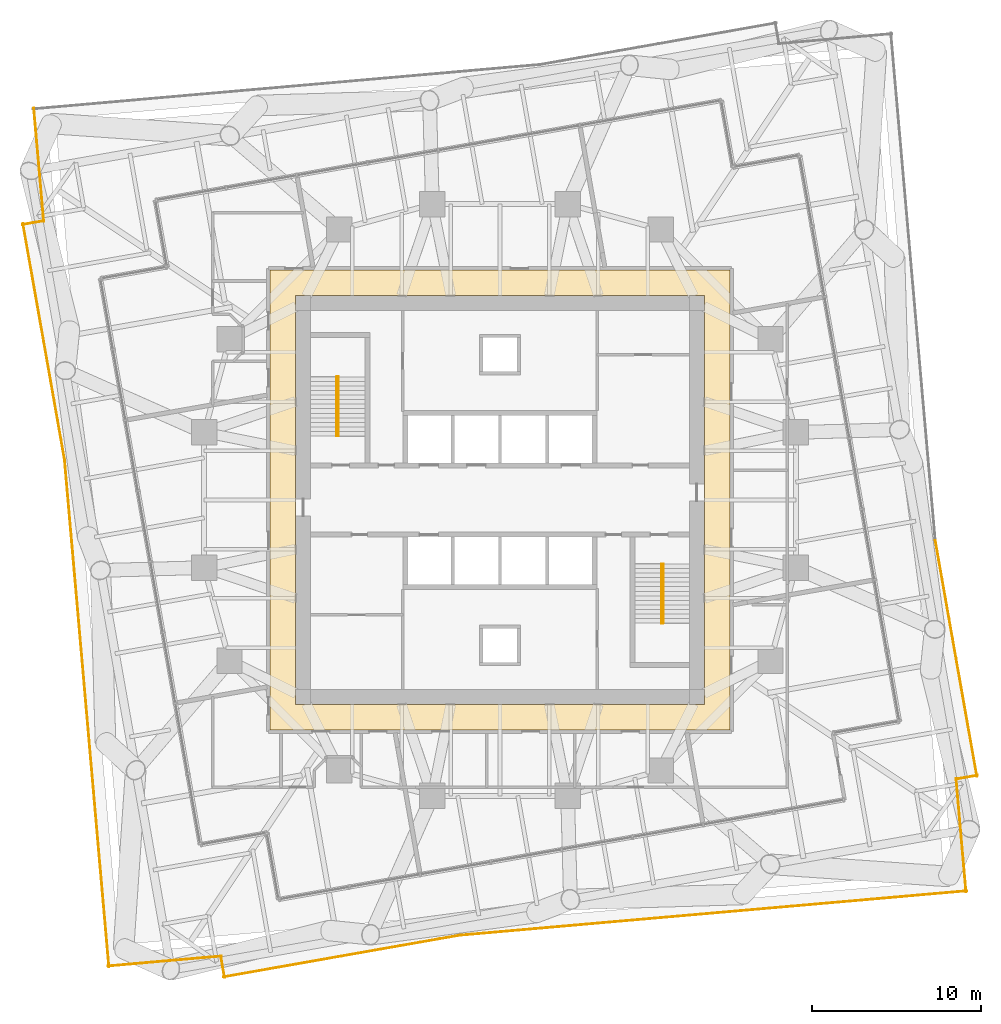
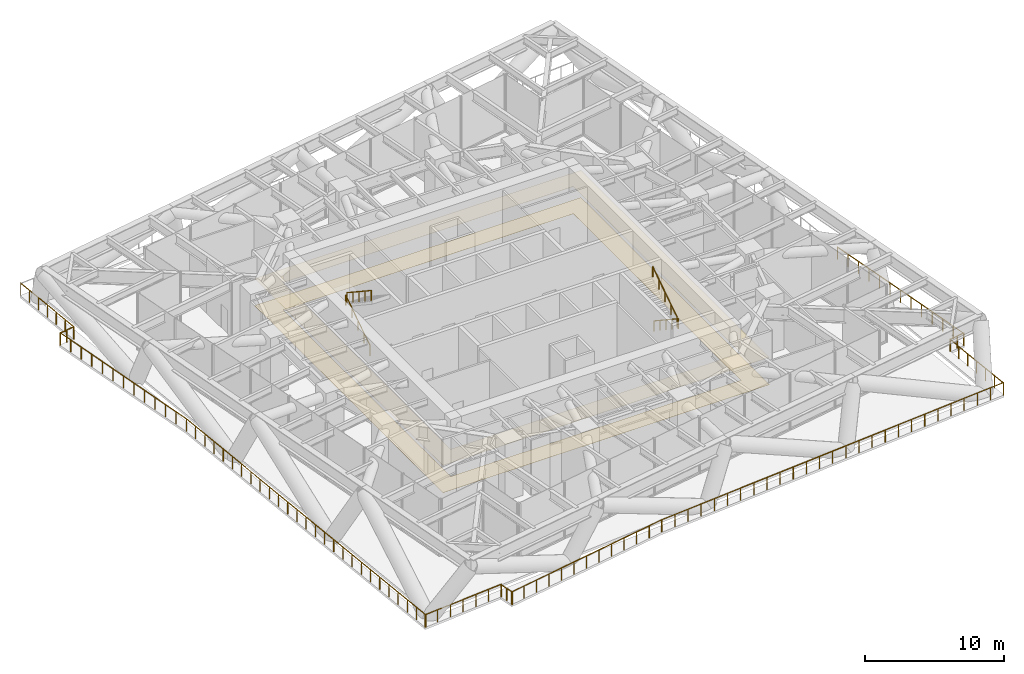
# One storey, part 14 of 15: 15 railings, 2 coverings, 2 elements without a shape of their own.
"""IFC4 building model written with IfcOpenShell, lengths in metres."""

from ifc_helpers import new_model, si_unit, direction, frame, origin, origin_2d, place, context, subcontext, project, spatial, polyline, circle, outline, extrude, material, layer, layer_set, type_object, element, aggregate, save


model = new_model("IFC4")

# Units and contexts
model_context = context("Model", 3, precision=1e-05, world=origin(), true_north=direction((0.0, 1.0)))
body_context = subcontext(model_context, "Body", "Model", "MODEL_VIEW")
ifc_project = project(units=[si_unit("LENGTHUNIT", "METRE"), si_unit("AREAUNIT", "SQUARE_METRE"), si_unit("VOLUMEUNIT", "CUBIC_METRE"), si_unit("PLANEANGLEUNIT", "RADIAN"), si_unit("MASSUNIT", "GRAM", prefix="KILO")], contexts=[model_context])

# Site, building, storey
site_placement = place(None, origin())
site = spatial("IfcSite", under=ifc_project, at=site_placement, CompositionType="ELEMENT")
building_placement = place(site_placement, origin())
building = spatial("IfcBuilding", under=site, at=building_placement, Name="Torsade Residences", CompositionType="ELEMENT")
storey_placement = place(building_placement, frame((0.0, 0.0, 74.39990234375)))
storey = spatial("IfcBuildingStorey", under=building, at=storey_placement, Name="L20", CompositionType="ELEMENT", Elevation=74.39990234375)

# Coverings
ifc_material_1 = material(Name="Nylon carpet tile on underlay", Category="textile")
ifc_layer_1 = layer(ifc_material_1, 0.010009765625)
ifc_layer_set_1 = layer_set([ifc_layer_1], Name="Nylon carpet tile on underlay")
covering_type_1 = type_object("IfcCoveringType", Name="CORRIDOR CARPET TILE 10", PredefinedType="FLOORING", material=ifc_layer_set_1)
covering_1_placement = place(storey_placement, origin())
element("IfcCovering", 1, at=covering_1_placement, inside=storey, type_object=covering_type_1, Name="Corridor carpet L20", PredefinedType="FLOORING", context=body_context, shape_type="SweptSolid", body=[
    extrude(outline(polyline([(26.39990234375, 16.39990234375), (53.60009765625, 16.39990234375), (53.60009765625, 43.60009765625), (26.39990234375, 43.60009765625), (26.39990234375, 16.39990234375)]), holes=[polyline([(27.89990234375, 42.10009765625), (27.89990234375, 17.89990234375), (52.10009765625, 17.89990234375), (52.10009765625, 42.10009765625), (27.89990234375, 42.10009765625)])]), origin(), (0.0, 0.0, 1.0), 0.010009765625),
])
ifc_material_2 = material(Name="Plasterboard on suspended steel grid", Category="steel")
ifc_layer_2 = layer(ifc_material_2, 0.012939453125)
ifc_layer_set_2 = layer_set([ifc_layer_2], Name="Plasterboard on suspended steel grid")
covering_type_2 = type_object("IfcCoveringType", Name="CORRIDOR SUSPENDED CEILING 13", PredefinedType="CEILING", material=ifc_layer_set_2)
covering_2_placement = place(storey_placement, frame((0.0, 0.0, 2.400146484375)))
element("IfcCovering", 2, at=covering_2_placement, inside=storey, type_object=covering_type_2, Name="Corridor ceiling L20", PredefinedType="CEILING", context=body_context, shape_type="SweptSolid", body=[
    extrude(outline(polyline([(26.39990234375, 16.39990234375), (53.60009765625, 16.39990234375), (53.60009765625, 43.60009765625), (26.39990234375, 43.60009765625), (26.39990234375, 16.39990234375)]), holes=[polyline([(27.89990234375, 42.10009765625), (27.89990234375, 17.89990234375), (52.10009765625, 17.89990234375), (52.10009765625, 42.10009765625), (27.89990234375, 42.10009765625)])]), origin(), (0.0, 0.0, 1.0), 0.012939453125),
])

# Railings
ifc_material_3 = material(Name="Galvanised steel guard rail", Category="steel")
railing_type_1 = type_object("IfcRailingType", Name="ROOF EDGE GUARD 1100", PredefinedType="GUARDRAIL", material=ifc_material_3)
railing_1_placement = place(storey_placement, frame((23.494140625, 2.962890625, 0.0)))
element("IfcRailing", 3, at=railing_1_placement, inside=storey, type_object=railing_type_1, Name="Roof edge guard L20 1", PredefinedType="GUARDRAIL", context=body_context, shape_type="SweptSolid", body=[
    extrude(circle(Radius=0.02392578125, at=origin_2d()), frame((0.0, 0.0, 1.076171875), z_axis=(0.173684229312, -0.984801395454, 0.0), x_axis=(0.984801395454, 0.173684229312, 0.0)), (0.0, 0.0, 1.0), 1.23974609375),
    extrude(circle(Radius=0.02099609375, at=origin_2d()), origin(), (0.0, 0.0, 1.0), 1.052001953125),
    extrude(circle(Radius=0.02099609375, at=origin_2d()), frame((0.107666015625, -0.6103515625, 0.0)), (0.0, 0.0, 1.0), 1.052001953125),
    extrude(circle(Radius=0.02099609375, at=origin_2d()), frame((0.21533203125, -1.220947265625, 0.0)), (0.0, 0.0, 1.0), 1.052001953125),
])
railing_2_placement = place(storey_placement, frame((23.651611328125, 1.782470703125, 0.0)))
element("IfcRailing", 4, at=railing_2_placement, inside=storey, type_object=railing_type_1, Name="Roof edge guard L20 2", PredefinedType="GUARDRAIL", context=body_context, shape_type="SweptSolid", body=[
    extrude(circle(Radius=0.02392578125, at=origin_2d()), frame((0.0, 0.0, 1.076171875), z_axis=(0.984807475396, 0.173649752101, 0.0), x_axis=(-0.173649752101, 0.984807475396, 0.0)), (0.0, 0.0, 1.0), 14.176025390625),
    extrude(circle(Radius=0.02099609375, at=origin_2d()), origin(), (0.0, 0.0, 1.0), 1.052001953125),
    extrude(circle(Radius=0.02099609375, at=origin_2d()), frame((1.163330078125, 0.205078125, 0.0)), (0.0, 0.0, 1.0), 1.052001953125),
    extrude(circle(Radius=0.02099609375, at=origin_2d()), frame((2.32666015625, 0.41015625, 0.0)), (0.0, 0.0, 1.0), 1.052001953125),
    extrude(circle(Radius=0.02099609375, at=origin_2d()), frame((3.490234375, 0.615478515625, 0.0)), (0.0, 0.0, 1.0), 1.052001953125),
    extrude(circle(Radius=0.02099609375, at=origin_2d()), frame((4.653564453125, 0.820556640625, 0.0)), (0.0, 0.0, 1.0), 1.052001953125),
    extrude(circle(Radius=0.02099609375, at=origin_2d()), frame((5.81689453125, 1.025634765625, 0.0)), (0.0, 0.0, 1.0), 1.052001953125),
    extrude(circle(Radius=0.02099609375, at=origin_2d()), frame((6.98046875, 1.23095703125, 0.0)), (0.0, 0.0, 1.0), 1.052001953125),
    extrude(circle(Radius=0.02099609375, at=origin_2d()), frame((8.143798828125, 1.43603515625, 0.0)), (0.0, 0.0, 1.0), 1.052001953125),
    extrude(circle(Radius=0.02099609375, at=origin_2d()), frame((9.30712890625, 1.64111328125, 0.0)), (0.0, 0.0, 1.0), 1.052001953125),
    extrude(circle(Radius=0.02099609375, at=origin_2d()), frame((10.470458984375, 1.84619140625, 0.0)), (0.0, 0.0, 1.0), 1.052001953125),
    extrude(circle(Radius=0.02099609375, at=origin_2d()), frame((11.6337890625, 2.05126953125, 0.0)), (0.0, 0.0, 1.0), 1.052001953125),
    extrude(circle(Radius=0.02099609375, at=origin_2d()), frame((12.79736328125, 2.256591796875, 0.0)), (0.0, 0.0, 1.0), 1.052001953125),
    extrude(circle(Radius=0.02099609375, at=origin_2d()), frame((13.960693359375, 2.461669921875, 0.0)), (0.0, 0.0, 1.0), 1.052001953125),
])
railing_3_placement = place(storey_placement, frame((37.6123046875, 4.243896484375, 0.0)))
element("IfcRailing", 5, at=railing_3_placement, inside=storey, type_object=railing_type_1, Name="Roof edge guard L20 3", PredefinedType="GUARDRAIL", context=body_context, shape_type="SweptSolid", body=[
    extrude(circle(Radius=0.02392578125, at=origin_2d()), frame((0.0, 0.0, 1.076171875), z_axis=(0.99619452679, 0.087157700715, 0.0), x_axis=(-0.087157700715, 0.99619452679, 0.0)), (0.0, 0.0, 1.0), 30.12353515625),
    extrude(circle(Radius=0.02099609375, at=origin_2d()), origin(), (0.0, 0.0, 1.0), 1.052001953125),
    extrude(circle(Radius=0.02099609375, at=origin_2d()), frame((1.154296875, 0.10107421875, 0.0)), (0.0, 0.0, 1.0), 1.052001953125),
    extrude(circle(Radius=0.02099609375, at=origin_2d()), frame((2.308349609375, 0.201904296875, 0.0)), (0.0, 0.0, 1.0), 1.052001953125),
    extrude(circle(Radius=0.02099609375, at=origin_2d()), frame((3.462646484375, 0.302978515625, 0.0)), (0.0, 0.0, 1.0), 1.052001953125),
    extrude(circle(Radius=0.02099609375, at=origin_2d()), frame((4.61669921875, 0.40380859375, 0.0)), (0.0, 0.0, 1.0), 1.052001953125),
    extrude(circle(Radius=0.02099609375, at=origin_2d()), frame((5.77099609375, 0.5048828125, 0.0)), (0.0, 0.0, 1.0), 1.052001953125),
    extrude(circle(Radius=0.02099609375, at=origin_2d()), frame((6.925048828125, 0.60595703125, 0.0)), (0.0, 0.0, 1.0), 1.052001953125),
    extrude(circle(Radius=0.02099609375, at=origin_2d()), frame((8.079345703125, 0.706787109375, 0.0)), (0.0, 0.0, 1.0), 1.052001953125),
    extrude(circle(Radius=0.02099609375, at=origin_2d()), frame((9.2333984375, 0.807861328125, 0.0)), (0.0, 0.0, 1.0), 1.052001953125),
    extrude(circle(Radius=0.02099609375, at=origin_2d()), frame((10.3876953125, 0.908935546875, 0.0)), (0.0, 0.0, 1.0), 1.052001953125),
    extrude(circle(Radius=0.02099609375, at=origin_2d()), frame((11.541748046875, 1.009765625, 0.0)), (0.0, 0.0, 1.0), 1.052001953125),
    extrude(circle(Radius=0.02099609375, at=origin_2d()), frame((12.696044921875, 1.11083984375, 0.0)), (0.0, 0.0, 1.0), 1.052001953125),
    extrude(circle(Radius=0.02099609375, at=origin_2d()), frame((13.85009765625, 1.211669921875, 0.0)), (0.0, 0.0, 1.0), 1.052001953125),
    extrude(circle(Radius=0.02099609375, at=origin_2d()), frame((15.00439453125, 1.312744140625, 0.0)), (0.0, 0.0, 1.0), 1.052001953125),
    extrude(circle(Radius=0.02099609375, at=origin_2d()), frame((16.15869140625, 1.413818359375, 0.0)), (0.0, 0.0, 1.0), 1.052001953125),
    extrude(circle(Radius=0.02099609375, at=origin_2d()), frame((17.312744140625, 1.5146484375, 0.0)), (0.0, 0.0, 1.0), 1.052001953125),
    extrude(circle(Radius=0.02099609375, at=origin_2d()), frame((18.467041015625, 1.61572265625, 0.0)), (0.0, 0.0, 1.0), 1.052001953125),
    extrude(circle(Radius=0.02099609375, at=origin_2d()), frame((19.62109375, 1.716552734375, 0.0)), (0.0, 0.0, 1.0), 1.052001953125),
    extrude(circle(Radius=0.02099609375, at=origin_2d()), frame((20.775390625, 1.817626953125, 0.0)), (0.0, 0.0, 1.0), 1.052001953125),
    extrude(circle(Radius=0.02099609375, at=origin_2d()), frame((21.929443359375, 1.918701171875, 0.0)), (0.0, 0.0, 1.0), 1.052001953125),
    extrude(circle(Radius=0.02099609375, at=origin_2d()), frame((23.083740234375, 2.01953125, 0.0)), (0.0, 0.0, 1.0), 1.052001953125),
    extrude(circle(Radius=0.02099609375, at=origin_2d()), frame((24.23779296875, 2.12060546875, 0.0)), (0.0, 0.0, 1.0), 1.052001953125),
    extrude(circle(Radius=0.02099609375, at=origin_2d()), frame((25.39208984375, 2.2216796875, 0.0)), (0.0, 0.0, 1.0), 1.052001953125),
    extrude(circle(Radius=0.02099609375, at=origin_2d()), frame((26.546142578125, 2.322509765625, 0.0)), (0.0, 0.0, 1.0), 1.052001953125),
    extrude(circle(Radius=0.02099609375, at=origin_2d()), frame((27.700439453125, 2.423583984375, 0.0)), (0.0, 0.0, 1.0), 1.052001953125),
    extrude(circle(Radius=0.02099609375, at=origin_2d()), frame((28.8544921875, 2.5244140625, 0.0)), (0.0, 0.0, 1.0), 1.052001953125),
    extrude(circle(Radius=0.02099609375, at=origin_2d()), frame((30.0087890625, 2.62548828125, 0.0)), (0.0, 0.0, 1.0), 1.052001953125),
])
railing_4_placement = place(storey_placement, frame((67.57568359375, 6.815185546875, 0.0)))
element("IfcRailing", 6, at=railing_4_placement, inside=storey, type_object=railing_type_1, Name="Roof edge guard L20 4", PredefinedType="GUARDRAIL", context=body_context, shape_type="SweptSolid", body=[
    extrude(circle(Radius=0.02392578125, at=origin_2d()), frame((0.0, 0.0, 1.076171875), z_axis=(-0.087156169975, 0.996194660714, 0.0), x_axis=(-0.996194660714, -0.087156169975, 0.0)), (0.0, 0.0, 1.0), 6.742431640625),
    extrude(circle(Radius=0.02099609375, at=origin_2d()), origin(), (0.0, 0.0, 1.0), 1.052001953125),
    extrude(circle(Radius=0.02099609375, at=origin_2d()), frame((-0.097900390625, 1.119384765625, 0.0)), (0.0, 0.0, 1.0), 1.052001953125),
    extrude(circle(Radius=0.02099609375, at=origin_2d()), frame((-0.19580078125, 2.239013671875, 0.0)), (0.0, 0.0, 1.0), 1.052001953125),
    extrude(circle(Radius=0.02099609375, at=origin_2d()), frame((-0.2939453125, 3.3583984375, 0.0)), (0.0, 0.0, 1.0), 1.052001953125),
    extrude(circle(Radius=0.02099609375, at=origin_2d()), frame((-0.391845703125, 4.477783203125, 0.0)), (0.0, 0.0, 1.0), 1.052001953125),
    extrude(circle(Radius=0.02099609375, at=origin_2d()), frame((-0.48974609375, 5.597412109375, 0.0)), (0.0, 0.0, 1.0), 1.052001953125),
    extrude(circle(Radius=0.02099609375, at=origin_2d()), frame((-0.587646484375, 6.716796875, 0.0)), (0.0, 0.0, 1.0), 1.052001953125),
])
railing_5_placement = place(storey_placement, frame((67.037109375, 13.494140625, 0.0)))
element("IfcRailing", 7, at=railing_5_placement, inside=storey, type_object=railing_type_1, Name="Roof edge guard L20 5", PredefinedType="GUARDRAIL", context=body_context, shape_type="SweptSolid", body=[
    extrude(circle(Radius=0.02392578125, at=origin_2d()), frame((0.0, 0.0, 1.076171875), z_axis=(0.984801395454, 0.173684229312, 0.0), x_axis=(-0.173684229312, 0.984801395454, 0.0)), (0.0, 0.0, 1.0), 1.23974609375),
    extrude(circle(Radius=0.02099609375, at=origin_2d()), origin(), (0.0, 0.0, 1.0), 1.052001953125),
    extrude(circle(Radius=0.02099609375, at=origin_2d()), frame((0.6103515625, 0.107666015625, 0.0)), (0.0, 0.0, 1.0), 1.052001953125),
    extrude(circle(Radius=0.02099609375, at=origin_2d()), frame((1.220947265625, 0.21533203125, 0.0)), (0.0, 0.0, 1.0), 1.052001953125),
])
railing_6_placement = place(storey_placement, frame((68.217529296875, 13.651611328125, 0.0)))
element("IfcRailing", 8, at=railing_6_placement, inside=storey, type_object=railing_type_1, Name="Roof edge guard L20 6", PredefinedType="GUARDRAIL", context=body_context, shape_type="SweptSolid", body=[
    extrude(circle(Radius=0.02392578125, at=origin_2d()), frame((0.0, 0.0, 1.076171875), z_axis=(-0.173649752101, 0.984807475396, 0.0), x_axis=(-0.984807475396, -0.173649752101, 0.0)), (0.0, 0.0, 1.0), 14.176025390625),
    extrude(circle(Radius=0.02099609375, at=origin_2d()), origin(), (0.0, 0.0, 1.0), 1.052001953125),
    extrude(circle(Radius=0.02099609375, at=origin_2d()), frame((-0.205078125, 1.163330078125, 0.0)), (0.0, 0.0, 1.0), 1.052001953125),
    extrude(circle(Radius=0.02099609375, at=origin_2d()), frame((-0.41015625, 2.32666015625, 0.0)), (0.0, 0.0, 1.0), 1.052001953125),
    extrude(circle(Radius=0.02099609375, at=origin_2d()), frame((-0.615478515625, 3.490234375, 0.0)), (0.0, 0.0, 1.0), 1.052001953125),
    extrude(circle(Radius=0.02099609375, at=origin_2d()), frame((-0.820556640625, 4.653564453125, 0.0)), (0.0, 0.0, 1.0), 1.052001953125),
    extrude(circle(Radius=0.02099609375, at=origin_2d()), frame((-1.025634765625, 5.81689453125, 0.0)), (0.0, 0.0, 1.0), 1.052001953125),
    extrude(circle(Radius=0.02099609375, at=origin_2d()), frame((-1.23095703125, 6.98046875, 0.0)), (0.0, 0.0, 1.0), 1.052001953125),
    extrude(circle(Radius=0.02099609375, at=origin_2d()), frame((-1.43603515625, 8.143798828125, 0.0)), (0.0, 0.0, 1.0), 1.052001953125),
    extrude(circle(Radius=0.02099609375, at=origin_2d()), frame((-1.64111328125, 9.30712890625, 0.0)), (0.0, 0.0, 1.0), 1.052001953125),
    extrude(circle(Radius=0.02099609375, at=origin_2d()), frame((-1.84619140625, 10.470458984375, 0.0)), (0.0, 0.0, 1.0), 1.052001953125),
    extrude(circle(Radius=0.02099609375, at=origin_2d()), frame((-2.05126953125, 11.6337890625, 0.0)), (0.0, 0.0, 1.0), 1.052001953125),
    extrude(circle(Radius=0.02099609375, at=origin_2d()), frame((-2.256591796875, 12.79736328125, 0.0)), (0.0, 0.0, 1.0), 1.052001953125),
    extrude(circle(Radius=0.02099609375, at=origin_2d()), frame((-2.461669921875, 13.960693359375, 0.0)), (0.0, 0.0, 1.0), 1.052001953125),
])
railing_7_placement = place(storey_placement, frame((12.42431640625, 53.184814453125, 0.0)))
element("IfcRailing", 9, at=railing_7_placement, inside=storey, type_object=railing_type_1, Name="Roof edge guard L20 12", PredefinedType="GUARDRAIL", context=body_context, shape_type="SweptSolid", body=[
    extrude(circle(Radius=0.02392578125, at=origin_2d()), frame((0.0, 0.0, 1.076171875), z_axis=(0.087156169975, -0.996194660714, 0.0), x_axis=(0.996194660714, 0.087156169975, 0.0)), (0.0, 0.0, 1.0), 6.742431640625),
    extrude(circle(Radius=0.02099609375, at=origin_2d()), origin(), (0.0, 0.0, 1.0), 1.052001953125),
    extrude(circle(Radius=0.02099609375, at=origin_2d()), frame((0.097900390625, -1.119384765625, 0.0)), (0.0, 0.0, 1.0), 1.052001953125),
    extrude(circle(Radius=0.02099609375, at=origin_2d()), frame((0.19580078125, -2.239013671875, 0.0)), (0.0, 0.0, 1.0), 1.052001953125),
    extrude(circle(Radius=0.02099609375, at=origin_2d()), frame((0.2939453125, -3.3583984375, 0.0)), (0.0, 0.0, 1.0), 1.052001953125),
    extrude(circle(Radius=0.02099609375, at=origin_2d()), frame((0.391845703125, -4.477783203125, 0.0)), (0.0, 0.0, 1.0), 1.052001953125),
    extrude(circle(Radius=0.02099609375, at=origin_2d()), frame((0.48974609375, -5.597412109375, 0.0)), (0.0, 0.0, 1.0), 1.052001953125),
    extrude(circle(Radius=0.02099609375, at=origin_2d()), frame((0.587646484375, -6.716796875, 0.0)), (0.0, 0.0, 1.0), 1.052001953125),
])
railing_8_placement = place(storey_placement, frame((12.962890625, 46.505859375, 0.0)))
element("IfcRailing", 10, at=railing_8_placement, inside=storey, type_object=railing_type_1, Name="Roof edge guard L20 13", PredefinedType="GUARDRAIL", context=body_context, shape_type="SweptSolid", body=[
    extrude(circle(Radius=0.02392578125, at=origin_2d()), frame((0.0, 0.0, 1.076171875), z_axis=(-0.984801395454, -0.173684229312, 0.0), x_axis=(0.173684229312, -0.984801395454, 0.0)), (0.0, 0.0, 1.0), 1.23974609375),
    extrude(circle(Radius=0.02099609375, at=origin_2d()), origin(), (0.0, 0.0, 1.0), 1.052001953125),
    extrude(circle(Radius=0.02099609375, at=origin_2d()), frame((-0.6103515625, -0.107666015625, 0.0)), (0.0, 0.0, 1.0), 1.052001953125),
    extrude(circle(Radius=0.02099609375, at=origin_2d()), frame((-1.220947265625, -0.21533203125, 0.0)), (0.0, 0.0, 1.0), 1.052001953125),
])
railing_9_placement = place(storey_placement, frame((11.782470703125, 46.348388671875, 0.0)))
element("IfcRailing", 11, at=railing_9_placement, inside=storey, type_object=railing_type_1, Name="Roof edge guard L20 14", PredefinedType="GUARDRAIL", context=body_context, shape_type="SweptSolid", body=[
    extrude(circle(Radius=0.02392578125, at=origin_2d()), frame((0.0, 0.0, 1.076171875), z_axis=(0.173649752101, -0.984807475396, 0.0), x_axis=(0.984807475396, 0.173649752101, 0.0)), (0.0, 0.0, 1.0), 14.176025390625),
    extrude(circle(Radius=0.02099609375, at=origin_2d()), origin(), (0.0, 0.0, 1.0), 1.052001953125),
    extrude(circle(Radius=0.02099609375, at=origin_2d()), frame((0.205078125, -1.163330078125, 0.0)), (0.0, 0.0, 1.0), 1.052001953125),
    extrude(circle(Radius=0.02099609375, at=origin_2d()), frame((0.41015625, -2.32666015625, 0.0)), (0.0, 0.0, 1.0), 1.052001953125),
    extrude(circle(Radius=0.02099609375, at=origin_2d()), frame((0.615478515625, -3.490234375, 0.0)), (0.0, 0.0, 1.0), 1.052001953125),
    extrude(circle(Radius=0.02099609375, at=origin_2d()), frame((0.820556640625, -4.653564453125, 0.0)), (0.0, 0.0, 1.0), 1.052001953125),
    extrude(circle(Radius=0.02099609375, at=origin_2d()), frame((1.025634765625, -5.81689453125, 0.0)), (0.0, 0.0, 1.0), 1.052001953125),
    extrude(circle(Radius=0.02099609375, at=origin_2d()), frame((1.23095703125, -6.98046875, 0.0)), (0.0, 0.0, 1.0), 1.052001953125),
    extrude(circle(Radius=0.02099609375, at=origin_2d()), frame((1.43603515625, -8.143798828125, 0.0)), (0.0, 0.0, 1.0), 1.052001953125),
    extrude(circle(Radius=0.02099609375, at=origin_2d()), frame((1.64111328125, -9.30712890625, 0.0)), (0.0, 0.0, 1.0), 1.052001953125),
    extrude(circle(Radius=0.02099609375, at=origin_2d()), frame((1.84619140625, -10.470458984375, 0.0)), (0.0, 0.0, 1.0), 1.052001953125),
    extrude(circle(Radius=0.02099609375, at=origin_2d()), frame((2.05126953125, -11.6337890625, 0.0)), (0.0, 0.0, 1.0), 1.052001953125),
    extrude(circle(Radius=0.02099609375, at=origin_2d()), frame((2.256591796875, -12.79736328125, 0.0)), (0.0, 0.0, 1.0), 1.052001953125),
    extrude(circle(Radius=0.02099609375, at=origin_2d()), frame((2.461669921875, -13.960693359375, 0.0)), (0.0, 0.0, 1.0), 1.052001953125),
])
railing_10_placement = place(storey_placement, frame((14.243896484375, 32.3876953125, 0.0)))
element("IfcRailing", 12, at=railing_10_placement, inside=storey, type_object=railing_type_1, Name="Roof edge guard L20 15", PredefinedType="GUARDRAIL", context=body_context, shape_type="SweptSolid", body=[
    extrude(circle(Radius=0.02392578125, at=origin_2d()), frame((0.0, 0.0, 1.076171875), z_axis=(0.087157700715, -0.99619452679, 0.0), x_axis=(0.99619452679, 0.087157700715, 0.0)), (0.0, 0.0, 1.0), 30.12353515625),
    extrude(circle(Radius=0.02099609375, at=origin_2d()), origin(), (0.0, 0.0, 1.0), 1.052001953125),
    extrude(circle(Radius=0.02099609375, at=origin_2d()), frame((0.10107421875, -1.154296875, 0.0)), (0.0, 0.0, 1.0), 1.052001953125),
    extrude(circle(Radius=0.02099609375, at=origin_2d()), frame((0.201904296875, -2.308349609375, 0.0)), (0.0, 0.0, 1.0), 1.052001953125),
    extrude(circle(Radius=0.02099609375, at=origin_2d()), frame((0.302978515625, -3.462646484375, 0.0)), (0.0, 0.0, 1.0), 1.052001953125),
    extrude(circle(Radius=0.02099609375, at=origin_2d()), frame((0.40380859375, -4.61669921875, 0.0)), (0.0, 0.0, 1.0), 1.052001953125),
    extrude(circle(Radius=0.02099609375, at=origin_2d()), frame((0.5048828125, -5.77099609375, 0.0)), (0.0, 0.0, 1.0), 1.052001953125),
    extrude(circle(Radius=0.02099609375, at=origin_2d()), frame((0.60595703125, -6.925048828125, 0.0)), (0.0, 0.0, 1.0), 1.052001953125),
    extrude(circle(Radius=0.02099609375, at=origin_2d()), frame((0.706787109375, -8.079345703125, 0.0)), (0.0, 0.0, 1.0), 1.052001953125),
    extrude(circle(Radius=0.02099609375, at=origin_2d()), frame((0.807861328125, -9.2333984375, 0.0)), (0.0, 0.0, 1.0), 1.052001953125),
    extrude(circle(Radius=0.02099609375, at=origin_2d()), frame((0.908935546875, -10.3876953125, 0.0)), (0.0, 0.0, 1.0), 1.052001953125),
    extrude(circle(Radius=0.02099609375, at=origin_2d()), frame((1.009765625, -11.541748046875, 0.0)), (0.0, 0.0, 1.0), 1.052001953125),
    extrude(circle(Radius=0.02099609375, at=origin_2d()), frame((1.11083984375, -12.696044921875, 0.0)), (0.0, 0.0, 1.0), 1.052001953125),
    extrude(circle(Radius=0.02099609375, at=origin_2d()), frame((1.211669921875, -13.85009765625, 0.0)), (0.0, 0.0, 1.0), 1.052001953125),
    extrude(circle(Radius=0.02099609375, at=origin_2d()), frame((1.312744140625, -15.00439453125, 0.0)), (0.0, 0.0, 1.0), 1.052001953125),
    extrude(circle(Radius=0.02099609375, at=origin_2d()), frame((1.413818359375, -16.15869140625, 0.0)), (0.0, 0.0, 1.0), 1.052001953125),
    extrude(circle(Radius=0.02099609375, at=origin_2d()), frame((1.5146484375, -17.312744140625, 0.0)), (0.0, 0.0, 1.0), 1.052001953125),
    extrude(circle(Radius=0.02099609375, at=origin_2d()), frame((1.61572265625, -18.467041015625, 0.0)), (0.0, 0.0, 1.0), 1.052001953125),
    extrude(circle(Radius=0.02099609375, at=origin_2d()), frame((1.716552734375, -19.62109375, 0.0)), (0.0, 0.0, 1.0), 1.052001953125),
    extrude(circle(Radius=0.02099609375, at=origin_2d()), frame((1.817626953125, -20.775390625, 0.0)), (0.0, 0.0, 1.0), 1.052001953125),
    extrude(circle(Radius=0.02099609375, at=origin_2d()), frame((1.918701171875, -21.929443359375, 0.0)), (0.0, 0.0, 1.0), 1.052001953125),
    extrude(circle(Radius=0.02099609375, at=origin_2d()), frame((2.01953125, -23.083740234375, 0.0)), (0.0, 0.0, 1.0), 1.052001953125),
    extrude(circle(Radius=0.02099609375, at=origin_2d()), frame((2.12060546875, -24.23779296875, 0.0)), (0.0, 0.0, 1.0), 1.052001953125),
    extrude(circle(Radius=0.02099609375, at=origin_2d()), frame((2.2216796875, -25.39208984375, 0.0)), (0.0, 0.0, 1.0), 1.052001953125),
    extrude(circle(Radius=0.02099609375, at=origin_2d()), frame((2.322509765625, -26.546142578125, 0.0)), (0.0, 0.0, 1.0), 1.052001953125),
    extrude(circle(Radius=0.02099609375, at=origin_2d()), frame((2.423583984375, -27.700439453125, 0.0)), (0.0, 0.0, 1.0), 1.052001953125),
    extrude(circle(Radius=0.02099609375, at=origin_2d()), frame((2.5244140625, -28.8544921875, 0.0)), (0.0, 0.0, 1.0), 1.052001953125),
    extrude(circle(Radius=0.02099609375, at=origin_2d()), frame((2.62548828125, -30.0087890625, 0.0)), (0.0, 0.0, 1.0), 1.052001953125),
])
railing_11_placement = place(storey_placement, frame((16.815185546875, 2.42431640625, 0.0)))
element("IfcRailing", 13, at=railing_11_placement, inside=storey, type_object=railing_type_1, Name="Roof edge guard L20 16", PredefinedType="GUARDRAIL", context=body_context, shape_type="SweptSolid", body=[
    extrude(circle(Radius=0.02392578125, at=origin_2d()), frame((0.0, 0.0, 1.076171875), z_axis=(0.996194660714, 0.087156169975, 0.0), x_axis=(-0.087156169975, 0.996194660714, 0.0)), (0.0, 0.0, 1.0), 6.742431640625),
    extrude(circle(Radius=0.02099609375, at=origin_2d()), origin(), (0.0, 0.0, 1.0), 1.052001953125),
    extrude(circle(Radius=0.02099609375, at=origin_2d()), frame((1.119384765625, 0.097900390625, 0.0)), (0.0, 0.0, 1.0), 1.052001953125),
    extrude(circle(Radius=0.02099609375, at=origin_2d()), frame((2.239013671875, 0.19580078125, 0.0)), (0.0, 0.0, 1.0), 1.052001953125),
    extrude(circle(Radius=0.02099609375, at=origin_2d()), frame((3.3583984375, 0.2939453125, 0.0)), (0.0, 0.0, 1.0), 1.052001953125),
    extrude(circle(Radius=0.02099609375, at=origin_2d()), frame((4.477783203125, 0.391845703125, 0.0)), (0.0, 0.0, 1.0), 1.052001953125),
    extrude(circle(Radius=0.02099609375, at=origin_2d()), frame((5.597412109375, 0.48974609375, 0.0)), (0.0, 0.0, 1.0), 1.052001953125),
    extrude(circle(Radius=0.02099609375, at=origin_2d()), frame((6.716796875, 0.587646484375, 0.0)), (0.0, 0.0, 1.0), 1.052001953125),
])

# Stair, railings
ifc_material_4 = material(Name="Precast concrete 40 MPa", Category="concrete")
stair_type = type_object("IfcStairType", Name="HALF-TURN FIRE STAIR 1500x5000", PredefinedType="HALF_TURN_STAIR", material=ifc_material_4)
stair_1_placement = place(storey_placement, origin())
stair_1 = element("IfcStair", 14, at=stair_1_placement, inside=storey, type_object=stair_type, Name="Stair ST1 L20", PredefinedType="HALF_TURN_STAIR")
ifc_material_5 = material(Name="Steel handrail", Category="steel")
railing_type_2 = type_object("IfcRailingType", Name="STAIR HANDRAIL 900", PredefinedType="HANDRAIL", material=ifc_material_5)
railing_12_placement = place(storey_placement, frame((30.35009765625, 33.780029296875, 0.1787109375)))
railing_12 = element("IfcRailing", 15, at=railing_12_placement, type_object=railing_type_2, Name="Handrail ST1 flight 1 L20", PredefinedType="HANDRAIL", context=body_context, shape_type="SweptSolid", body=[
    extrude(circle(Radius=0.02392578125, at=origin_2d()), frame((0.0, 0.0, 0.8759765625), z_axis=(0.0, 0.834097473627, 0.551617081397), x_axis=(-1.0, 0.0, 0.0)), (0.0, 0.0, 1.0), 4.208251953125),
    extrude(circle(Radius=0.02099609375, at=origin_2d()), origin(), (0.0, 0.0, 1.0), 0.851806640625),
    extrude(circle(Radius=0.02099609375, at=origin_2d()), frame((0.0, 0.87744140625, 0.580322265625)), (0.0, 0.0, 1.0), 0.851806640625),
    extrude(circle(Radius=0.02099609375, at=origin_2d()), frame((0.0, 1.7548828125, 1.16064453125)), (0.0, 0.0, 1.0), 0.851806640625),
    extrude(circle(Radius=0.02099609375, at=origin_2d()), frame((0.0, 2.632568359375, 1.740966796875)), (0.0, 0.0, 1.0), 0.851806640625),
    extrude(circle(Radius=0.02099609375, at=origin_2d()), frame((0.0, 3.510009765625, 2.3212890625)), (0.0, 0.0, 1.0), 0.851806640625),
])
railing_13_placement = place(storey_placement, frame((30.449951171875, 37.2900390625, 2.6787109375)))
railing_13 = element("IfcRailing", 16, at=railing_13_placement, type_object=railing_type_2, Name="Handrail ST1 flight 2 L20", PredefinedType="HANDRAIL", context=body_context, shape_type="SweptSolid", body=[
    extrude(circle(Radius=0.02392578125, at=origin_2d()), frame((0.0, 0.0, 0.8759765625), z_axis=(0.0, -0.834097473627, 0.551617081397), x_axis=(1.0, 0.0, 0.0)), (0.0, 0.0, 1.0), 4.208251953125),
    extrude(circle(Radius=0.02099609375, at=origin_2d()), origin(), (0.0, 0.0, 1.0), 0.851806640625),
    extrude(circle(Radius=0.02099609375, at=origin_2d()), frame((0.0, -0.87744140625, 0.580322265625)), (0.0, 0.0, 1.0), 0.851806640625),
    extrude(circle(Radius=0.02099609375, at=origin_2d()), frame((0.0, -1.7548828125, 1.16064453125)), (0.0, 0.0, 1.0), 0.851806640625),
    extrude(circle(Radius=0.02099609375, at=origin_2d()), frame((0.0, -2.632568359375, 1.740966796875)), (0.0, 0.0, 1.0), 0.851806640625),
    extrude(circle(Radius=0.02099609375, at=origin_2d()), frame((0.0, -3.510009765625, 2.3212890625)), (0.0, 0.0, 1.0), 0.851806640625),
])
aggregate(stair_1, [railing_12, railing_13])

stair_2_placement = place(storey_placement, origin())
stair_2 = element("IfcStair", 17, at=stair_2_placement, inside=storey, type_object=stair_type, Name="Stair ST2 L20", PredefinedType="HALF_TURN_STAIR")
railing_14_placement = place(storey_placement, frame((49.64990234375, 26.219970703125, 0.1787109375)))
railing_14 = element("IfcRailing", 18, at=railing_14_placement, type_object=railing_type_2, Name="Handrail ST2 flight 1 L20", PredefinedType="HANDRAIL", context=body_context, shape_type="SweptSolid", body=[
    extrude(circle(Radius=0.02392578125, at=origin_2d()), frame((0.0, 0.0, 0.8759765625), z_axis=(0.0, -0.834097473627, 0.551617081397), x_axis=(1.0, 0.0, 0.0)), (0.0, 0.0, 1.0), 4.208251953125),
    extrude(circle(Radius=0.02099609375, at=origin_2d()), origin(), (0.0, 0.0, 1.0), 0.851806640625),
    extrude(circle(Radius=0.02099609375, at=origin_2d()), frame((0.0, -0.87744140625, 0.580322265625)), (0.0, 0.0, 1.0), 0.851806640625),
    extrude(circle(Radius=0.02099609375, at=origin_2d()), frame((0.0, -1.7548828125, 1.16064453125)), (0.0, 0.0, 1.0), 0.851806640625),
    extrude(circle(Radius=0.02099609375, at=origin_2d()), frame((0.0, -2.632568359375, 1.740966796875)), (0.0, 0.0, 1.0), 0.851806640625),
    extrude(circle(Radius=0.02099609375, at=origin_2d()), frame((0.0, -3.510009765625, 2.3212890625)), (0.0, 0.0, 1.0), 0.851806640625),
])
railing_15_placement = place(storey_placement, frame((49.550048828125, 22.7099609375, 2.6787109375)))
railing_15 = element("IfcRailing", 19, at=railing_15_placement, type_object=railing_type_2, Name="Handrail ST2 flight 2 L20", PredefinedType="HANDRAIL", context=body_context, shape_type="SweptSolid", body=[
    extrude(circle(Radius=0.02392578125, at=origin_2d()), frame((0.0, 0.0, 0.8759765625), z_axis=(0.0, 0.834097473627, 0.551617081397), x_axis=(-1.0, 0.0, 0.0)), (0.0, 0.0, 1.0), 4.208251953125),
    extrude(circle(Radius=0.02099609375, at=origin_2d()), origin(), (0.0, 0.0, 1.0), 0.851806640625),
    extrude(circle(Radius=0.02099609375, at=origin_2d()), frame((0.0, 0.87744140625, 0.580322265625)), (0.0, 0.0, 1.0), 0.851806640625),
    extrude(circle(Radius=0.02099609375, at=origin_2d()), frame((0.0, 1.7548828125, 1.16064453125)), (0.0, 0.0, 1.0), 0.851806640625),
    extrude(circle(Radius=0.02099609375, at=origin_2d()), frame((0.0, 2.632568359375, 1.740966796875)), (0.0, 0.0, 1.0), 0.851806640625),
    extrude(circle(Radius=0.02099609375, at=origin_2d()), frame((0.0, 3.510009765625, 2.3212890625)), (0.0, 0.0, 1.0), 0.851806640625),
])
aggregate(stair_2, [railing_14, railing_15])

save(model, "model.ifc")
